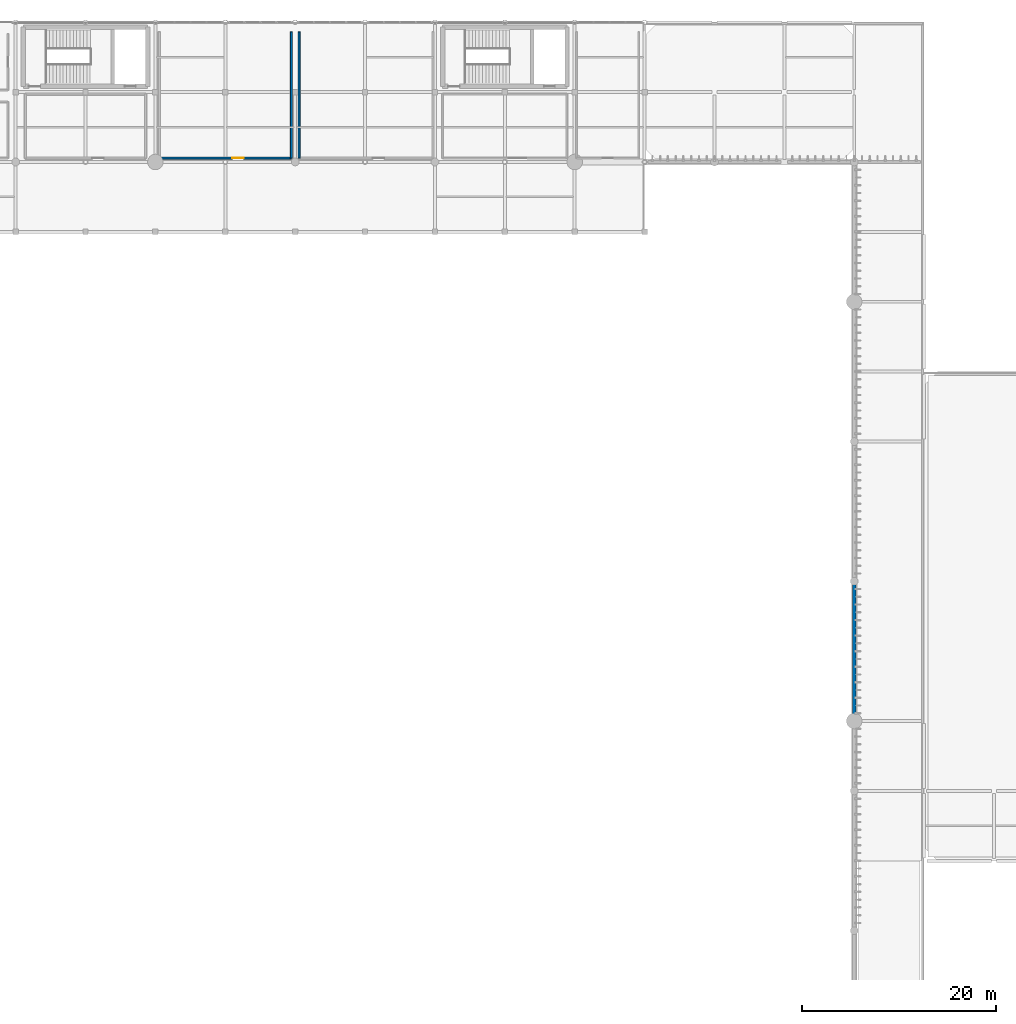
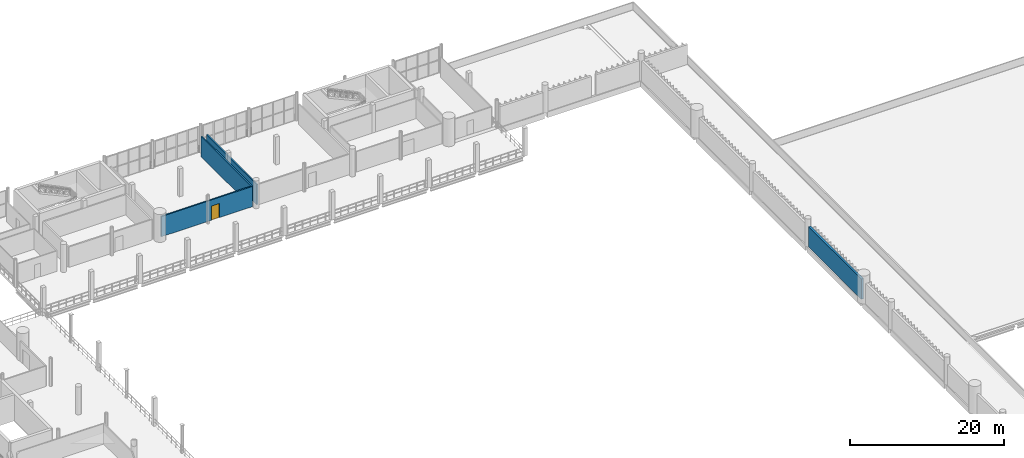
# One storey, part 60 of 81: 4 walls, 1 door, 1 opening.
"""IFC4 building model written with IfcOpenShell, lengths in metres."""

from ifc_helpers import new_model, si_unit, direction, frame, frame_2d, origin, place, context, subcontext, project, spatial, rectangle, extrude, material, layer, layer_set, type_object, element, fill, save


model = new_model("IFC4")

# Units and contexts
model_context = context("Model", 3, precision=1e-05, world=origin(), true_north=direction((0.0, 1.0)))
body_context = subcontext(model_context, "Body", "Model", "MODEL_VIEW")
ifc_project = project(units=[si_unit("LENGTHUNIT", "METRE"), si_unit("AREAUNIT", "SQUARE_METRE"), si_unit("VOLUMEUNIT", "CUBIC_METRE"), si_unit("PLANEANGLEUNIT", "RADIAN"), si_unit("MASSUNIT", "GRAM", prefix="KILO")], contexts=[model_context])

# Site, building, storey
site_placement = place(None, origin())
site = spatial("IfcSite", under=ifc_project, at=site_placement, CompositionType="ELEMENT")
building_placement = place(site_placement, origin())
building = spatial("IfcBuilding", under=site, at=building_placement, Name="Qandorah Velis Arena", CompositionType="ELEMENT")
storey_placement = place(building_placement, frame((0.0, 0.0, 18.60009765625)))
storey = spatial("IfcBuildingStorey", under=building, at=storey_placement, Name="L04", CompositionType="ELEMENT", Elevation=18.60009765625)

# Wall
ifc_material_1 = material(Name="Precast concrete C40/50", Category="concrete")
ifc_layer_1 = layer(ifc_material_1, 0.320068359375)
ifc_layer_set_1 = layer_set([ifc_layer_1], Name="Precast concrete C40/50")
wall_type_1 = type_object("IfcWallType", Name="ARC-WAL-BOWL320", PredefinedType="SOLIDWALL", material=ifc_layer_set_1)
wall_1_placement = place(storey_placement, frame((115.199951171875, 57.949951171875, 0.0), z_axis=(0.0, 0.0, 1.0), x_axis=(0.0, 1.0, 0.0)))
element("IfcWall", 1, at=wall_1_placement, inside=storey, type_object=wall_type_1, Name="Arena bowl acoustic drum wall 2.5 (L04)", PredefinedType="SOLIDWALL", context=body_context, shape_type="SweptSolid", body=[
    extrude(rectangle(XDim=13.699951171875, YDim=0.320068359375, at=frame_2d((6.85009765625, 0.0))), origin(), (0.0, 0.0, 1.0), 3.2099609375),
])

# Wall, opening, door
ifc_material_2 = material(Name="Concrete C35/45", Category="concrete")
ifc_layer_2 = layer(ifc_material_2, 0.199951171875)
ifc_layer_set_2 = layer_set([ifc_layer_2], Name="Concrete C35/45")
wall_type_2 = type_object("IfcWallType", Name="ARC-WAL-FD60-200", PredefinedType="PARTITIONING", material=ifc_layer_set_2)
wall_2_placement = place(storey_placement, frame((43.60009765625, 115.60009765625, 0.0), z_axis=(0.0, 0.0, 1.0), x_axis=(1.0, 0.0, 0.0)))
wall_2 = element("IfcWall", 2, at=wall_2_placement, inside=storey, type_object=wall_type_2, Name="Interior partition L04-TV-ST3 (S)", PredefinedType="PARTITIONING", context=body_context, shape_type="SweptSolid", body=[
    extrude(rectangle(XDim=13.599853515625, YDim=0.199951171875, at=frame_2d((6.7998046875, 0.0))), origin(), (0.0, 0.0, 1.0), 3.2099609375),
])
opening_placement = place(wall_2_placement, frame((7.5, 0.0, 0.0)))
opening = element("IfcOpeningElement", 3, at=opening_placement, cuts=wall_2, Name="Opening FD2", PredefinedType="OPENING", context=body_context, shape_type="SweptSolid", body=[
    extrude(rectangle(XDim=1.199951171875, YDim=2.25, at=frame_2d((0.60009765625, 1.125))), frame((0.0, 0.10986328125, 0.0), z_axis=(0.0, -1.0, 0.0), x_axis=(1.0, 0.0, 0.0)), (0.0, 0.0, 1.0), 0.219970703125),
])
ifc_material_3 = material(Name="Insulated fire-rated single steel door", Category="steel")
door_type = type_object("IfcDoorType", Name="ARC-DR-FD1200", OperationType="NOTDEFINED", PredefinedType="DOOR", material=ifc_material_3)
door_placement = place(opening_placement, origin())
door = element("IfcDoor", 4, at=door_placement, inside=storey, type_object=door_type, Name="Door L04-TV-ST3", OperationType="SINGLE_SWING_LEFT", OverallHeight=2.25, OverallWidth=1.199951171875, PredefinedType="DOOR", context=body_context, shape_type="SweptSolid", body=[
    extrude(rectangle(XDim=1.199951171875, YDim=2.25, at=frame_2d((0.60009765625, 1.125))), frame((0.0, 0.02490234375, 0.0), z_axis=(0.0, -1.0, 0.0), x_axis=(1.0, 0.0, 0.0)), (0.0, 0.0, 1.0), 0.050048828125),
])
fill(opening, door)

# Walls
for number, where, z_axis, x_axis, name in (
    (5, (57.199951171875, 115.60009765625, 0.0), (0.0, 0.0, 1.0), (0.0, 1.0, 0.0), "Interior partition L04-TV-ST3 (E)"),
    (6, (58.0, 128.60009765625, 0.0), (0.0, 0.0, 1.0), (0.0, -1.0, 0.0), "Interior partition L04-OB-COM (W)"),
):
    element("IfcWall", number, at=place(storey_placement, frame(where, z_axis=z_axis, x_axis=x_axis)), inside=storey, type_object=wall_type_2, Name=name, PredefinedType="PARTITIONING", context=body_context, shape_type="SweptSolid", body=[
        extrude(rectangle(XDim=13.0, YDim=0.199951171875, at=frame_2d((6.5, 0.0))), origin(), (0.0, 0.0, 1.0), 3.2099609375),
    ])

save(model, "model.ifc")
